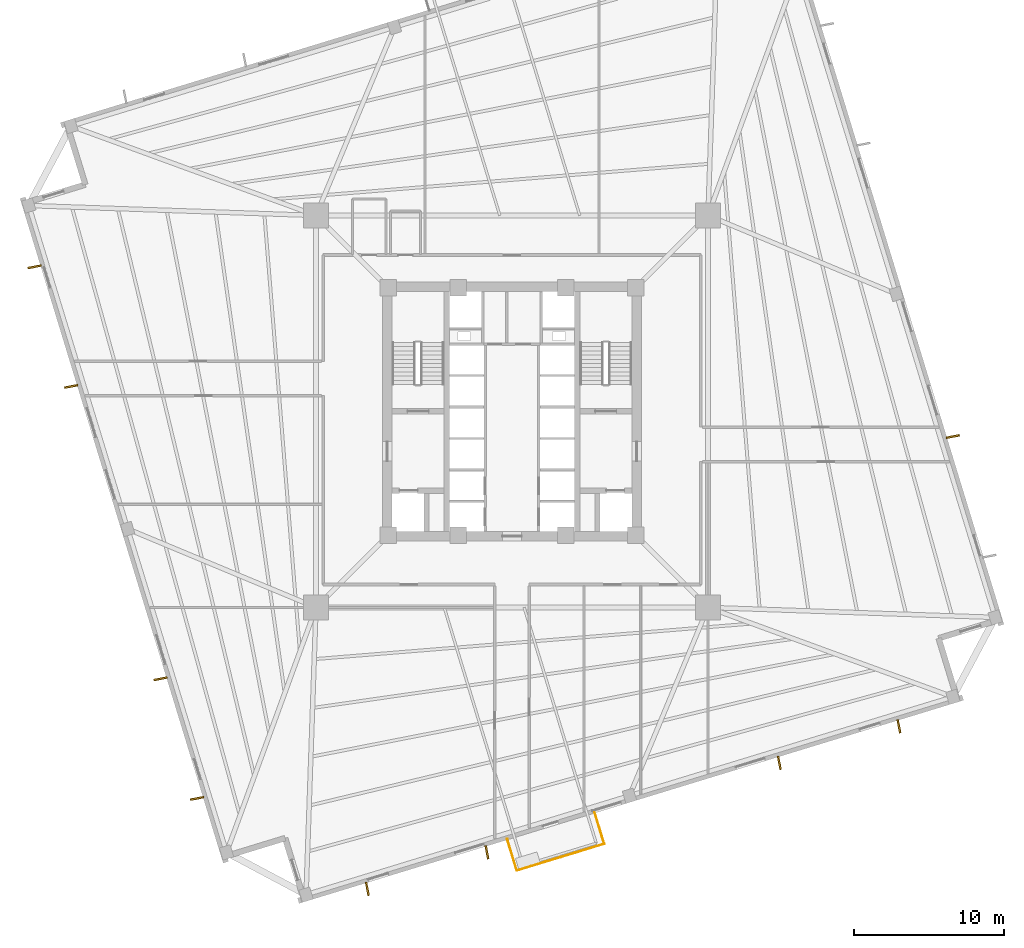
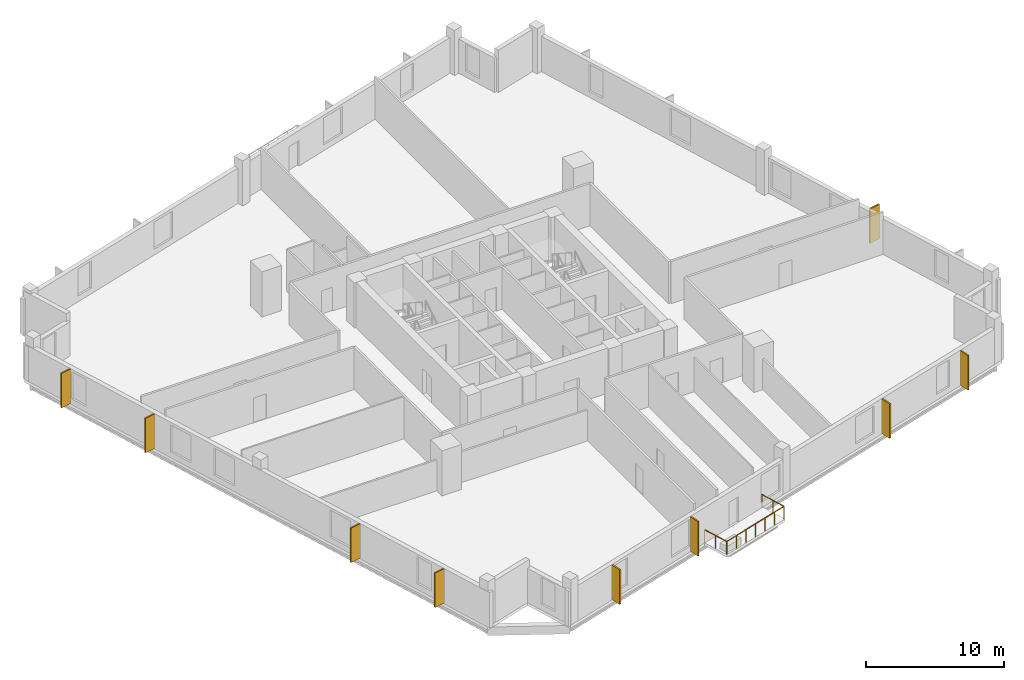
# One storey, part 6 of 8: 9 coverings, 3 railings.
"""IFC4 building model written with IfcOpenShell, lengths in metres."""

from ifc_helpers import new_model, si_unit, direction, frame, origin, origin_2d, place, context, subcontext, project, spatial, rectangle, circle, extrude, source, transform, mapped, material, layer, layer_set, type_object, element, save


model = new_model("IFC4")

# Units and contexts
model_context = context("Model", 3, precision=1e-05, world=origin(), true_north=direction((0.0, 1.0)))
body_context = subcontext(model_context, "Body", "Model", "MODEL_VIEW")
ifc_project = project(units=[si_unit("LENGTHUNIT", "METRE"), si_unit("AREAUNIT", "SQUARE_METRE"), si_unit("VOLUMEUNIT", "CUBIC_METRE"), si_unit("PLANEANGLEUNIT", "RADIAN"), si_unit("MASSUNIT", "GRAM", prefix="KILO"), si_unit("THERMODYNAMICTEMPERATUREUNIT", "KELVIN")], contexts=[model_context])

# Site, building, storey
site_placement = place(None, origin())
site = spatial("IfcSite", under=ifc_project, at=site_placement, CompositionType="ELEMENT")
building_placement = place(site_placement, origin())
building = spatial("IfcBuilding", under=site, at=building_placement, Name="Kosmvard Interchange Tower", CompositionType="ELEMENT")
storey_placement = place(building_placement, frame((0.0, 0.0, 115.199951171875)))
storey = spatial("IfcBuildingStorey", under=building, at=storey_placement, Name="L27", CompositionType="ELEMENT", Elevation=115.199951171875)

# Railings
ifc_material_1 = material(Name="Steel S355", Category="steel")
railing_type = type_object("IfcRailingType", Name="Observation & Balcony Glass-Infill Balustrade 1150", PredefinedType="BALUSTRADE", material=ifc_material_1)
shared_shape_1 = source(origin(), body_context, "Body", "SweptSolid", [
    extrude(circle(Radius=0.02392578125, at=origin_2d()), frame((0.0, 0.0, 1.1259765625), z_axis=(-0.292424349234, 0.956288659336, 0.0), x_axis=(-0.956288659336, -0.292424349234, 0.0)), (0.0, 0.0, 1.0), 2.199951171875),
    extrude(circle(Radius=0.02099609375, at=origin_2d()), origin(), (0.0, 0.0, 1.0), 1.101806640625),
    extrude(circle(Radius=0.02099609375, at=origin_2d()), frame((-0.32177734375, 1.0517578125, 0.0)), (0.0, 0.0, 1.0), 1.101806640625),
    extrude(circle(Radius=0.02099609375, at=origin_2d()), frame((-0.643310546875, 2.103759765625, 0.0)), (0.0, 0.0, 1.0), 1.101806640625),
])
railing_1_placement = place(storey_placement, frame((6.1572265625, -28.86083984375, 0.0)))
element("IfcRailing", 1, at=railing_1_placement, inside=storey, type_object=railing_type, Name="L27 Outdoor Terrace Guard BAL-L27-S-C", PredefinedType="BALUSTRADE", context=body_context, shape_type="MappedRepresentation", body=[
    mapped(shared_shape_1, transform((0.0, 0.0, 0.0), scale=1.0)),
])
shared_shape_2 = source(origin(), body_context, "Body", "SweptSolid", [
    extrude(circle(Radius=0.02392578125, at=origin_2d()), frame((0.0, 0.0, 1.1259765625), z_axis=(0.292424349234, -0.956288659336, 0.0), x_axis=(0.956288659336, 0.292424349234, 0.0)), (0.0, 0.0, 1.0), 2.199951171875),
    extrude(circle(Radius=0.02099609375, at=origin_2d()), origin(), (0.0, 0.0, 1.0), 1.101806640625),
    extrude(circle(Radius=0.02099609375, at=origin_2d()), frame((0.32177734375, -1.0517578125, 0.0)), (0.0, 0.0, 1.0), 1.101806640625),
    extrude(circle(Radius=0.02099609375, at=origin_2d()), frame((0.643310546875, -2.103759765625, 0.0)), (0.0, 0.0, 1.0), 1.101806640625),
])
railing_2_placement = place(storey_placement, frame((-0.319580078125, -28.54052734375, 0.0)))
element("IfcRailing", 2, at=railing_2_placement, inside=storey, type_object=railing_type, Name="L27 Outdoor Terrace Guard BAL-L27-S-A", PredefinedType="BALUSTRADE", context=body_context, shape_type="MappedRepresentation", body=[
    mapped(shared_shape_2, transform((0.0, 0.0, 0.0), scale=1.0)),
])

# Coverings
ifc_material_2 = material(Name="Architectural anodised aluminium", Category="aluminium")
ifc_layer = layer(ifc_material_2, 0.1201171875, Name="Architectural anodised aluminium")
ifc_layer_set = layer_set([ifc_layer], Name="Architectural anodised aluminium")
covering_type = type_object("IfcCoveringType", Name="Rotating Vertical Sun-Breaker Fin 900x120 Aluminium", PredefinedType="CLADDING", material=ifc_layer_set)
shared_shape_3 = source(origin(), body_context, "Body", "SweptSolid", [
    extrude(rectangle(XDim=0.89990234375, YDim=0.1201171875, at=origin_2d()), origin(), (0.0, 0.0, 1.0), 3.06005859375),
])
for number, where, z_axis, x_axis, name in (
    (3, (-9.6572265625, -31.865966796875, 0.0400390625), (0.0, 0.0, 1.0), (0.189438199716, -0.981892646112, 0.0), "L27 Rotating Vertical Sun-Breaker Fin 01"),
    (4, (-1.673583984375, -29.425048828125, 0.0400390625), (0.0, 0.0, 1.0), (0.189438199716, -0.981892646112, 0.0), "L27 Rotating Vertical Sun-Breaker Fin 02"),
    (5, (17.841796875, -23.45849609375, 0.0400390625), (0.0, 0.0, 1.0), (0.189438199716, -0.981892646112, 0.0), "L27 Rotating Vertical Sun-Breaker Fin 03"),
    (6, (25.825439453125, -21.017822265625, 0.0400390625), (0.0, 0.0, 1.0), (0.189438199716, -0.981892646112, 0.0), "L27 Rotating Vertical Sun-Breaker Fin 04"),
    (7, (29.425048828125, -1.673583984375, 0.0400390625), (0.0, 0.0, 1.0), (0.981892646112, 0.189438199716, 0.0), "L27 Rotating Vertical Sun-Breaker Fin 06"),
    (8, (-31.865966796875, 9.6572265625, 0.0400390625), (0.0, 0.0, 1.0), (-0.981892646112, -0.189438199716, 0.0), "L27 Rotating Vertical Sun-Breaker Fin 13"),
    (9, (-29.425048828125, 1.673583984375, 0.0400390625), (0.0, 0.0, 1.0), (-0.981892646112, -0.189438199716, 0.0), "L27 Rotating Vertical Sun-Breaker Fin 14"),
    (10, (-23.45849609375, -17.841796875, 0.0400390625), (0.0, 0.0, 1.0), (-0.981892646112, -0.189438199716, 0.0), "L27 Rotating Vertical Sun-Breaker Fin 15"),
    (11, (-21.017822265625, -25.825439453125, 0.0400390625), (0.0, 0.0, 1.0), (-0.981892646112, -0.189438199716, 0.0), "L27 Rotating Vertical Sun-Breaker Fin 16"),
):
    element("IfcCovering", number, at=place(storey_placement, frame(where, z_axis=z_axis, x_axis=x_axis)), inside=storey, type_object=covering_type, Name=name, PredefinedType="CLADDING", context=body_context, shape_type="MappedRepresentation", body=[
        mapped(shared_shape_3, transform((0.0, 0.0, 0.0), scale=1.0)),
    ])

# Railing
shared_shape_4 = source(origin(), body_context, "Body", "SweptSolid", [
    extrude(circle(Radius=0.02392578125, at=origin_2d()), frame((0.0, 0.0, 1.1259765625), z_axis=(0.956306198406, 0.292366986664, 0.0), x_axis=(-0.292366986664, 0.956306198406, 0.0)), (0.0, 0.0, 1.0), 6.10009765625),
    extrude(circle(Radius=0.02099609375, at=origin_2d()), origin(), (0.0, 0.0, 1.0), 1.101806640625),
    extrude(circle(Radius=0.02099609375, at=origin_2d()), frame((0.97216796875, 0.29736328125, 0.0)), (0.0, 0.0, 1.0), 1.101806640625),
    extrude(circle(Radius=0.02099609375, at=origin_2d()), frame((1.944580078125, 0.594482421875, 0.0)), (0.0, 0.0, 1.0), 1.101806640625),
    extrude(circle(Radius=0.02099609375, at=origin_2d()), frame((2.916748046875, 0.8916015625, 0.0)), (0.0, 0.0, 1.0), 1.101806640625),
    extrude(circle(Radius=0.02099609375, at=origin_2d()), frame((3.888916015625, 1.18896484375, 0.0)), (0.0, 0.0, 1.0), 1.101806640625),
    extrude(circle(Radius=0.02099609375, at=origin_2d()), frame((4.861328125, 1.486328125, 0.0)), (0.0, 0.0, 1.0), 1.101806640625),
    extrude(circle(Radius=0.02099609375, at=origin_2d()), frame((5.83349609375, 1.783447265625, 0.0)), (0.0, 0.0, 1.0), 1.101806640625),
])
railing_3_placement = place(storey_placement, frame((0.32373046875, -30.644287109375, 0.0)))
element("IfcRailing", 12, at=railing_3_placement, inside=storey, type_object=railing_type, Name="L27 Outdoor Terrace Guard BAL-L27-S-B", PredefinedType="BALUSTRADE", context=body_context, shape_type="MappedRepresentation", body=[
    mapped(shared_shape_4, transform((0.0, 0.0, 0.0), scale=1.0)),
])

save(model, "model.ifc")
